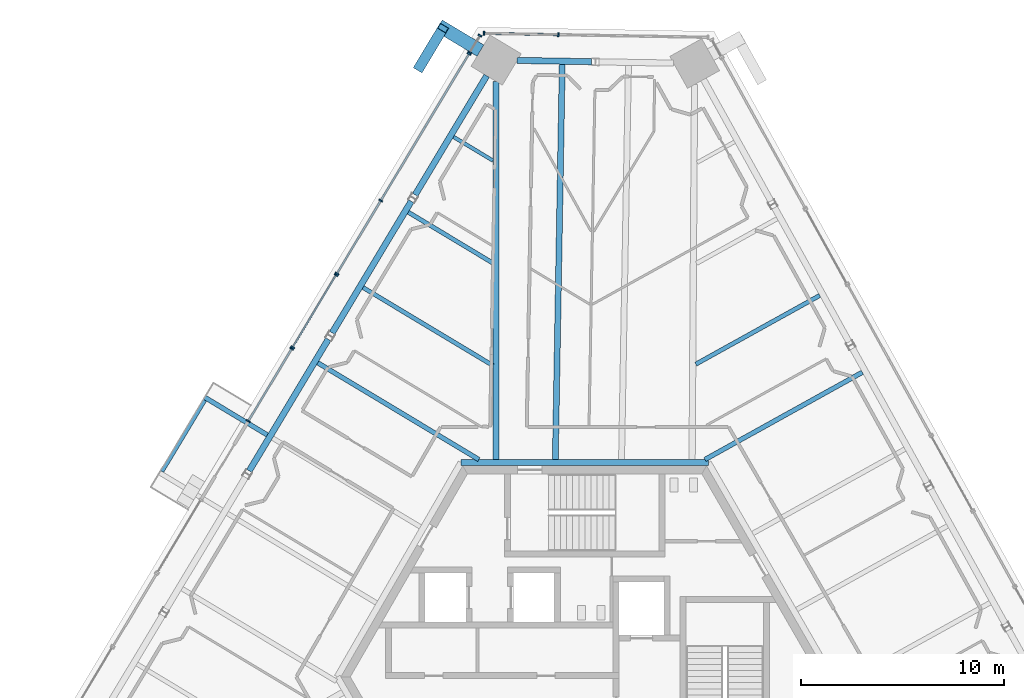
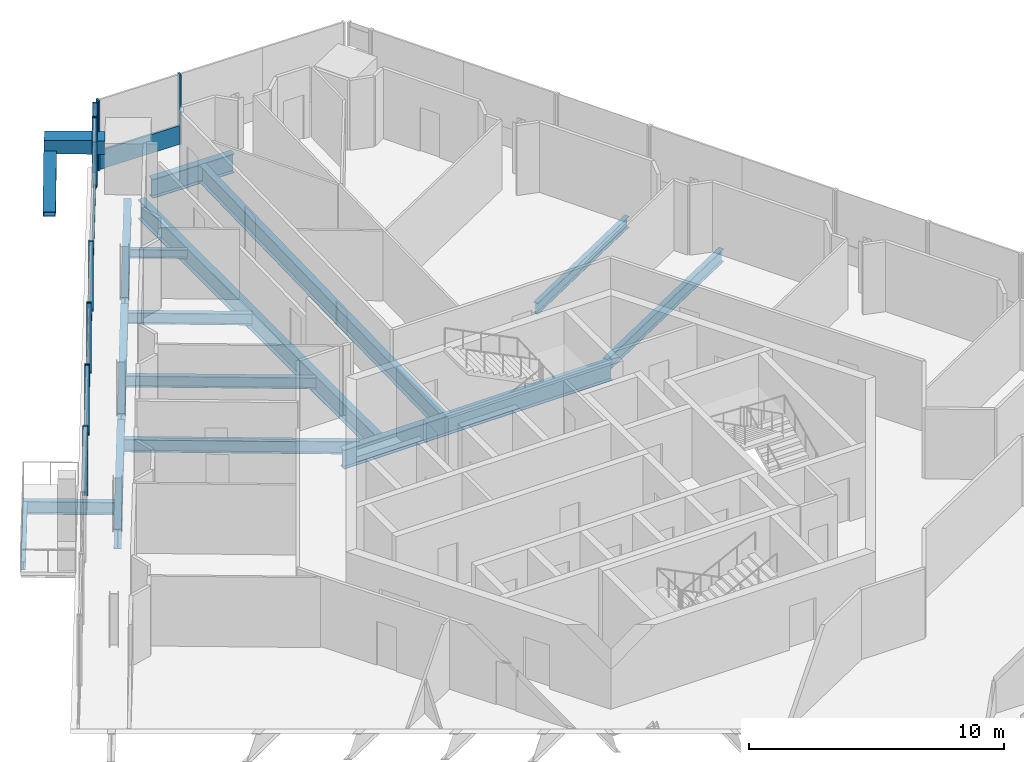
# One storey, part 9 of 24: 20 members, 15 beams, 6 elements without a shape of their own.
"""IFC4 building model written with IfcOpenShell, lengths in metres."""

from ifc_helpers import new_model, si_unit, direction, frame, origin, origin_2d, place, context, subcontext, project, spatial, rectangle, hollow_rectangle, i_section, extrude, source, transform, mapped, material, material_profile, profile_set, type_object, element, aggregate, save


model = new_model("IFC4")

# Units and contexts
model_context = context("Model", 3, precision=1e-05, world=origin(), true_north=direction((0.0, 1.0)))
body_context = subcontext(model_context, "Body", "Model", "MODEL_VIEW")
ifc_project = project(units=[si_unit("LENGTHUNIT", "METRE"), si_unit("AREAUNIT", "SQUARE_METRE"), si_unit("VOLUMEUNIT", "CUBIC_METRE"), si_unit("PLANEANGLEUNIT", "RADIAN"), si_unit("MASSUNIT", "GRAM", prefix="KILO")], contexts=[model_context])

# Site, building, storey
site_placement = place(None, origin())
site = spatial("IfcSite", under=ifc_project, at=site_placement, CompositionType="ELEMENT")
building_placement = place(site_placement, origin())
building = spatial("IfcBuilding", under=site, at=building_placement, Name="Triune Harvest Tower", CompositionType="ELEMENT")
storey_placement = place(building_placement, frame((0.0, 0.0, 212.300048828125)))
storey = spatial("IfcBuildingStorey", under=building, at=storey_placement, Name="L55", CompositionType="ELEMENT", Elevation=212.300048828125)

# Curtain wall, members
ifc_material_1 = material(Name="Aluminium bronze anodised", Category="aluminium")
curtain_wall_type_1 = type_object("IfcCurtainWallType", Name="CW-10 Balcony window wall with insulated spandrel infill", PredefinedType="NOTDEFINED", material=ifc_material_1)
curtain_wall_1_placement = place(storey_placement, origin())
curtain_wall_1 = element("IfcCurtainWall", 1, at=curtain_wall_1_placement, inside=storey, type_object=curtain_wall_type_1, Name="CW-10 B5-F3 L55 run 201")
ifc_material_2 = material(Name="Aluminium bronze anodised", Category="aluminium")
ifc_material_profile_1 = material_profile(ifc_material_2, rectangle(XDim=0.090087890625, YDim=0.14990234375, at=origin_2d()), Name="TR-6 transom 90 x 150")
ifc_profile_set_1 = profile_set([ifc_material_profile_1], Name="Aluminium bronze anodised")
member_type_1 = type_object("IfcMemberType", Name="TR-6 transom 90 x 150", PredefinedType="USERDEFINED", material=ifc_profile_set_1)
member_1_placement = place(storey_placement, frame((-5.712158203125, 30.639892578125, 0.074951171875), z_axis=(-0.515054351809, -0.857157520344, 0.0), x_axis=(0.857157520344, -0.515054351809, 0.0)))
member_1 = element("IfcMember", 2, at=member_1_placement, type_object=member_type_1, Name="CW-10 transom B5-F3 201.1", ObjectType="TRANSOM", PredefinedType="USERDEFINED", context=body_context, shape_type="SweptSolid", body=[
    extrude(rectangle(XDim=0.090087890625, YDim=0.14990234375, at=origin_2d()), origin(), (0.0, 0.0, 1.0), 8.35400390625),
])
member_2_placement = place(storey_placement, frame((-10.053466796875, 23.414794921875, 0.074951171875), z_axis=(-0.515027129781, -0.857173877104, 0.0), x_axis=(0.857173877104, -0.515027129781, 0.0)))
member_2 = element("IfcMember", 3, at=member_2_placement, type_object=member_type_1, Name="CW-10 transom B5-F3 201.2", ObjectType="TRANSOM", PredefinedType="USERDEFINED", context=body_context, shape_type="SweptSolid", body=[
    extrude(rectangle(XDim=0.090087890625, YDim=0.14990234375, at=origin_2d()), origin(), (0.0, 0.0, 1.0), 4.120849609375),
])

# Beams
ifc_material_3 = material(Name="Steel ASTM A992 Gr 50", Category="steel")
ifc_material_profile_2 = material_profile(ifc_material_3, i_section(OverallWidth=0.3046875, OverallDepth=0.914306640625, WebThickness=0.0166015625, FlangeThickness=0.02587890625, at=origin_2d()), Name="W36x160")
ifc_profile_set_2 = profile_set([ifc_material_profile_2], Name="Steel ASTM A992 Gr 50")
beam_type_1 = type_object("IfcBeamType", Name="CG-1 Core ring girder W36x160", PredefinedType="BEAM", material=ifc_profile_set_2)
shared_shape_1 = source(origin(), body_context, "Body", "SweptSolid", [
    extrude(i_section(OverallWidth=0.3046875, OverallDepth=0.914306640625, WebThickness=0.0166015625, FlangeThickness=0.02587890625, at=origin_2d()), origin(), (0.0, 0.0, 1.0), 12.17578125),
])
beam_1_placement = place(storey_placement, frame((6.087890625, 10.544677734375, -0.6171875), z_axis=(-1.0, 0.0, 0.0), x_axis=(0.0, -1.0, 0.0)))
element("IfcBeam", 4, at=beam_1_placement, inside=storey, type_object=beam_type_1, Name="beam/L55/CG2", PredefinedType="BEAM", context=body_context, shape_type="MappedRepresentation", body=[
    mapped(shared_shape_1, transform((0.0, 0.0, 0.0), scale=1.0)),
])
ifc_material_4 = material(Name="Steel ASTM A992 Gr 50", Category="steel")
ifc_material_profile_3 = material_profile(ifc_material_4, i_section(OverallWidth=0.3046875, OverallDepth=0.914306640625, WebThickness=0.0166015625, FlangeThickness=0.02587890625, at=origin_2d()), Name="W36x160")
ifc_profile_set_3 = profile_set([ifc_material_profile_3], Name="Steel ASTM A992 Gr 50")
beam_type_2 = type_object("IfcBeamType", Name="SB-1 Spandrel beam W36x160", PredefinedType="SPANDREL", material=ifc_profile_set_3)
shared_shape_2 = source(origin(), body_context, "Body", "SweptSolid", [
    extrude(i_section(OverallWidth=0.3046875, OverallDepth=0.914306640625, WebThickness=0.0166015625, FlangeThickness=0.02587890625, at=origin_2d()), origin(), (0.0, 0.0, 1.0), 3.66357421875),
])
beam_2_placement = place(storey_placement, frame((0.343017578125, 30.281494140625, -0.6171875), z_axis=(-0.999846408449, 0.01752596677, 0.0), x_axis=(-0.01752596677, -0.999846408449, 0.0)))
element("IfcBeam", 5, at=beam_2_placement, inside=storey, type_object=beam_type_2, Name="beam/L55/SB8", PredefinedType="SPANDREL", context=body_context, shape_type="MappedRepresentation", body=[
    mapped(shared_shape_2, transform((0.0, 0.0, 0.0), scale=1.0)),
])
shared_shape_3 = source(origin(), body_context, "Body", "SweptSolid", [
    extrude(i_section(OverallWidth=0.3046875, OverallDepth=0.914306640625, WebThickness=0.0166015625, FlangeThickness=0.02587890625, at=origin_2d()), origin(), (0.0, 0.0, 1.0), 6.842041015625),
])
beam_3_placement = place(storey_placement, frame((-4.822509765625, 29.59228515625, -0.6171875), z_axis=(-0.515041383774, -0.857165312527, 0.0), x_axis=(0.857165312527, -0.515041383774, 0.0)))
element("IfcBeam", 6, at=beam_3_placement, inside=storey, type_object=beam_type_2, Name="beam/L55/SB9", PredefinedType="SPANDREL", context=body_context, shape_type="MappedRepresentation", body=[
    mapped(shared_shape_3, transform((0.0, 0.0, 0.0), scale=1.0)),
])
shared_shape_4 = source(origin(), body_context, "Body", "SweptSolid", [
    extrude(i_section(OverallWidth=0.3046875, OverallDepth=0.914306640625, WebThickness=0.0166015625, FlangeThickness=0.02587890625, at=origin_2d()), origin(), (0.0, 0.0, 1.0), 7.556640625),
])
for number, where, z_axis, x_axis, name in (
    (7, (-8.537353515625, 23.409912109375, -0.6171875), (-0.515027794287, -0.857173477839, 0.0), (0.857173477839, -0.515027794287, 0.0), "beam/L55/SB10"),
    (8, (-12.6201171875, 16.614990234375, -0.6171875), (-0.515027794287, -0.857173477839, 0.0), (0.857173477839, -0.515027794287, 0.0), "beam/L55/SB11"),
):
    element("IfcBeam", number, at=place(storey_placement, frame(where, z_axis=z_axis, x_axis=x_axis)), inside=storey, type_object=beam_type_2, Name=name, PredefinedType="SPANDREL", context=body_context, shape_type="MappedRepresentation", body=[
        mapped(shared_shape_4, transform((0.0, 0.0, 0.0), scale=1.0)),
    ])
ifc_material_5 = material(Name="Steel ASTM A992 Gr 50", Category="steel")
ifc_material_profile_4 = material_profile(ifc_material_5, i_section(OverallWidth=0.307373046875, OverallDepth=0.922119140625, WebThickness=0.018310546875, FlangeThickness=0.030029296875, at=origin_2d()), Name="W36x182")
ifc_profile_set_4 = profile_set([ifc_material_profile_4], Name="Steel ASTM A992 Gr 50")
beam_type_3 = type_object("IfcBeamType", Name="HG-2 Hip girder W36x182", PredefinedType="BEAM", material=ifc_profile_set_4)
shared_shape_5 = source(origin(), body_context, "Body", "SweptSolid", [
    extrude(i_section(OverallWidth=0.307373046875, OverallDepth=0.922119140625, WebThickness=0.018310546875, FlangeThickness=0.030029296875, at=origin_2d()), origin(), (0.0, 0.0, 1.0), 18.61669921875),
])
beam_4_placement = place(storey_placement, frame((-4.359130859375, 29.313720703125, -0.62109375), z_axis=(0.0, -1.0, 0.0), x_axis=(1.0, 0.0, 0.0)))
element("IfcBeam", 9, at=beam_4_placement, inside=storey, type_object=beam_type_3, Name="beam/L55/HG4", PredefinedType="BEAM", context=body_context, shape_type="MappedRepresentation", body=[
    mapped(shared_shape_5, transform((0.0, 0.0, 0.0), scale=1.0)),
])
ifc_material_6 = material(Name="Steel ASTM A992 Gr 50", Category="steel")
ifc_material_profile_5 = material_profile(ifc_material_6, i_section(OverallWidth=0.180908203125, OverallDepth=0.41650390625, WebThickness=0.010986328125, FlangeThickness=0.01806640625, at=origin_2d()), Name="W16x57")
ifc_profile_set_5 = profile_set([ifc_material_profile_5], Name="Steel ASTM A992 Gr 50")
beam_type_4 = type_object("IfcBeamType", Name="JT-1 Floor joist W16x57", PredefinedType="JOIST", material=ifc_profile_set_5)
shared_shape_6 = source(origin(), body_context, "Body", "SweptSolid", [
    extrude(i_section(OverallWidth=0.180908203125, OverallDepth=0.41650390625, WebThickness=0.010986328125, FlangeThickness=0.01806640625, at=origin_2d()), origin(), (0.0, 0.0, 1.0), 2.266357421875),
])
beam_5_placement = place(storey_placement, frame((-6.455322265625, 26.578857421875, -0.368408203125), z_axis=(0.857169580884, -0.515034280031, 0.0), x_axis=(0.515034280031, 0.857169580884, 0.0)))
element("IfcBeam", 10, at=beam_5_placement, inside=storey, type_object=beam_type_4, Name="beam/L55/JT13", PredefinedType="JOIST", context=body_context, shape_type="MappedRepresentation", body=[
    mapped(shared_shape_6, transform((0.0, 0.0, 0.0), scale=1.0)),
])
ifc_material_7 = material(Name="Steel ASTM A992 Gr 50", Category="steel")
ifc_material_profile_6 = material_profile(ifc_material_7, i_section(OverallWidth=0.22900390625, OverallDepth=0.612060546875, WebThickness=0.011962890625, FlangeThickness=0.01953125, at=origin_2d()), Name="W24x84")
ifc_profile_set_6 = profile_set([ifc_material_profile_6], Name="Steel ASTM A992 Gr 50")
beam_type_5 = type_object("IfcBeamType", Name="JT-3 Floor joist W24x84", PredefinedType="JOIST", material=ifc_profile_set_6)
shared_shape_7 = source(origin(), body_context, "Body", "SweptSolid", [
    extrude(i_section(OverallWidth=0.22900390625, OverallDepth=0.612060546875, WebThickness=0.011962890625, FlangeThickness=0.01953125, at=origin_2d()), origin(), (0.0, 0.0, 1.0), 9.247314453125),
])
beam_6_placement = place(storey_placement, frame((-13.136474609375, 15.459716796875, -0.466064453125), z_axis=(0.857168952485, -0.515035325872, 0.0), x_axis=(0.515035325872, 0.857168952485, 0.0)))
element("IfcBeam", 11, at=beam_6_placement, inside=storey, type_object=beam_type_5, Name="beam/L55/JT16", PredefinedType="JOIST", context=body_context, shape_type="MappedRepresentation", body=[
    mapped(shared_shape_7, transform((0.0, 0.0, 0.0), scale=1.0)),
])
shared_shape_8 = source(origin(), body_context, "Body", "SweptSolid", [
    extrude(i_section(OverallWidth=0.22900390625, OverallDepth=0.612060546875, WebThickness=0.011962890625, FlangeThickness=0.01953125, at=origin_2d()), origin(), (0.0, 0.0, 1.0), 8.85888671875),
])
beam_7_placement = place(storey_placement, frame((13.66796875, 14.991943359375, -0.466064453125), z_axis=(-0.874614472557, -0.484819063563, 0.0), x_axis=(0.484819063563, -0.874614472557, 0.0)))
element("IfcBeam", 12, at=beam_7_placement, inside=storey, type_object=beam_type_5, Name="beam/L55/JT7", PredefinedType="JOIST", context=body_context, shape_type="MappedRepresentation", body=[
    mapped(shared_shape_8, transform((0.0, 0.0, 0.0), scale=1.0)),
])
ifc_material_8 = material(Name="Steel ASTM A992 Gr 50", Category="steel")
ifc_material_profile_7 = material_profile(ifc_material_8, i_section(OverallWidth=0.2099609375, OverallDepth=0.535888671875, WebThickness=0.010986328125, FlangeThickness=0.017333984375, at=origin_2d()), Name="W21x68")
ifc_profile_set_7 = profile_set([ifc_material_profile_7], Name="Steel ASTM A992 Gr 50")
beam_type_6 = type_object("IfcBeamType", Name="JT-2 Floor joist W21x68", PredefinedType="JOIST", material=ifc_profile_set_7)
shared_shape_9 = source(origin(), body_context, "Body", "SweptSolid", [
    extrude(i_section(OverallWidth=0.2099609375, OverallDepth=0.535888671875, WebThickness=0.010986328125, FlangeThickness=0.017333984375, at=origin_2d()), origin(), (0.0, 0.0, 1.0), 6.97265625),
])
beam_8_placement = place(storey_placement, frame((11.57177734375, 18.773681640625, -0.427978515625), z_axis=(-0.874620980943, -0.484807322236, 0.0), x_axis=(0.484807322236, -0.874620980943, 0.0)))
element("IfcBeam", 13, at=beam_8_placement, inside=storey, type_object=beam_type_6, Name="beam/L55/JT8", PredefinedType="JOIST", context=body_context, shape_type="MappedRepresentation", body=[
    mapped(shared_shape_9, transform((0.0, 0.0, 0.0), scale=1.0)),
])
ifc_material_9 = material(Name="Steel ASTM A992 Gr 50", Category="steel")
ifc_material_profile_8 = material_profile(ifc_material_9, i_section(OverallWidth=0.2919921875, OverallDepth=0.8408203125, WebThickness=0.0146484375, FlangeThickness=0.021728515625, at=origin_2d()), Name="W33x130")
ifc_profile_set_8 = profile_set([ifc_material_profile_8], Name="Steel ASTM A992 Gr 50")
beam_type_7 = type_object("IfcBeamType", Name="JT-6 Floor joist W33x130", PredefinedType="JOIST", material=ifc_profile_set_8)
shared_shape_10 = source(origin(), body_context, "Body", "SweptSolid", [
    extrude(i_section(OverallWidth=0.2919921875, OverallDepth=0.8408203125, WebThickness=0.0146484375, FlangeThickness=0.021728515625, at=origin_2d()), origin(), (0.0, 0.0, 1.0), 19.460205078125),
])
beam_9_placement = place(storey_placement, frame((-1.103515625, 30.154296875, -0.58056640625), z_axis=(-0.017450947707, -0.999847720618, 0.0), x_axis=(0.999847720618, -0.017450947707, 0.0)))
element("IfcBeam", 14, at=beam_9_placement, inside=storey, type_object=beam_type_7, Name="beam/L55/JT12", PredefinedType="JOIST", context=body_context, shape_type="MappedRepresentation", body=[
    mapped(shared_shape_10, transform((0.0, 0.0, 0.0), scale=1.0)),
])
shared_shape_11 = source(origin(), body_context, "Body", "SweptSolid", [
    extrude(i_section(OverallWidth=0.2099609375, OverallDepth=0.535888671875, WebThickness=0.010986328125, FlangeThickness=0.017333984375, at=origin_2d()), origin(), (0.0, 0.0, 1.0), 4.864501953125),
])
beam_10_placement = place(storey_placement, frame((-8.682373046875, 22.87255859375, -0.427978515625), z_axis=(0.857169483424, -0.515034442233, 0.0), x_axis=(0.515034442233, 0.857169483424, 0.0)))
element("IfcBeam", 15, at=beam_10_placement, inside=storey, type_object=beam_type_6, Name="beam/L55/JT14", PredefinedType="JOIST", context=body_context, shape_type="MappedRepresentation", body=[
    mapped(shared_shape_11, transform((0.0, 0.0, 0.0), scale=1.0)),
])
shared_shape_12 = source(origin(), body_context, "Body", "SweptSolid", [
    extrude(i_section(OverallWidth=0.2099609375, OverallDepth=0.535888671875, WebThickness=0.010986328125, FlangeThickness=0.017333984375, at=origin_2d()), origin(), (0.0, 0.0, 1.0), 7.462646484375),
])
beam_11_placement = place(storey_placement, frame((-10.909423828125, 19.166259765625, -0.427978515625), z_axis=(0.857169453827, -0.515034491492, 0.0), x_axis=(0.515034491492, 0.857169453827, 0.0)))
element("IfcBeam", 16, at=beam_11_placement, inside=storey, type_object=beam_type_6, Name="beam/L55/JT15", PredefinedType="JOIST", context=body_context, shape_type="MappedRepresentation", body=[
    mapped(shared_shape_12, transform((0.0, 0.0, 0.0), scale=1.0)),
])

# Members
ifc_material_10 = material(Name="Steel ASTM A572 Gr 50", Category="steel")
ifc_material_profile_9 = material_profile(ifc_material_10, hollow_rectangle(XDim=0.64990234375, YDim=0.64990234375, WallThickness=0.070068359375, at=origin_2d()), Name="Box 650x650x70")
ifc_profile_set_9 = profile_set([ifc_material_profile_9], Name="Steel ASTM A572 Gr 50")
member_type_2 = type_object("IfcMemberType", Name="BS-1 Brace stub Box 650x650x70", PredefinedType="STRUT", material=ifc_profile_set_9)
shared_shape_13 = source(origin(), body_context, "Body", "SweptSolid", [
    extrude(hollow_rectangle(XDim=0.64990234375, YDim=0.64990234375, WallThickness=0.070068359375, at=origin_2d()), origin(), (0.0, 0.0, 1.0), 2.38720703125),
])
member_3_placement = place(storey_placement, frame((-5.130615234375, 30.8271484375, 1.849853515625), z_axis=(-0.857158850431, 0.515052138262, 0.0), x_axis=(-0.515052138262, -0.857158850431, 0.0)))
element("IfcMember", 17, at=member_3_placement, inside=storey, type_object=member_type_2, Name="brace/B5-F3/stub4", PredefinedType="STRUT", context=body_context, shape_type="MappedRepresentation", body=[
    mapped(shared_shape_13, transform((0.0, 0.0, 0.0), scale=1.0)),
])
ifc_material_11 = material(Name="Steel ASTM A572 Gr 50", Category="steel")
ifc_material_profile_10 = material_profile(ifc_material_11, hollow_rectangle(XDim=0.5, YDim=0.5, WallThickness=0.030029296875, at=origin_2d()), Name="Box 500x500x30")
ifc_profile_set_10 = profile_set([ifc_material_profile_10], Name="Steel ASTM A572 Gr 50")
member_type_3 = type_object("IfcMemberType", Name="BR-3 Brace Box 500x500x30", PredefinedType="BRACE", material=ifc_profile_set_10)
shared_shape_14 = source(origin(), body_context, "Body", "SweptSolid", [
    extrude(hollow_rectangle(XDim=0.5, YDim=0.5, WallThickness=0.030029296875, at=origin_2d()), origin(), (0.0, 0.0, 1.0), 2.777099609375),
])
member_4_placement = place(storey_placement, frame((-8.1494140625, 29.981689453125, 0.0), z_axis=(0.422777605331, 0.703574376266, 0.571176149269), x_axis=(-0.857152525846, 0.515062663601, 0.0)))
element("IfcMember", 18, at=member_4_placement, inside=storey, type_object=member_type_3, Name="brace/B5-F3/d2/10", PredefinedType="BRACE", context=body_context, shape_type="MappedRepresentation", body=[
    mapped(shared_shape_14, transform((0.0, 0.0, 0.0), scale=1.0)),
])

# Curtain wall, members
ifc_material_12 = material(Name="Aluminium bronze anodised", Category="aluminium")
curtain_wall_type_2 = type_object("IfcCurtainWallType", Name="CW-6 Balcony window wall", PredefinedType="NOTDEFINED", material=ifc_material_12)
curtain_wall_2_placement = place(storey_placement, origin())
curtain_wall_2 = element("IfcCurtainWall", 19, at=curtain_wall_2_placement, inside=storey, type_object=curtain_wall_type_2, Name="CW-6 B5-F3 L55 run 101")
ifc_material_13 = material(Name="Aluminium bronze anodised", Category="aluminium")
ifc_material_profile_11 = material_profile(ifc_material_13, rectangle(XDim=0.199951171875, YDim=0.074951171875, at=origin_2d()), Name="MU-6 mullion 75 x 200")
ifc_profile_set_11 = profile_set([ifc_material_profile_11], Name="Aluminium bronze anodised")
member_type_4 = type_object("IfcMemberType", Name="MU-6 mullion 75 x 200", PredefinedType="MULLION", material=ifc_profile_set_11)
shared_shape_15 = source(origin(), body_context, "Body", "SweptSolid", [
    extrude(rectangle(XDim=0.199951171875, YDim=0.074951171875, at=origin_2d()), origin(), (0.0, 0.0, 1.0), 1.114990234375),
])
member_5_placement = place(storey_placement, frame((-5.15380859375, 31.5693359375, 2.23486328125), z_axis=(0.0, 0.0, 1.0), x_axis=(0.857189328811, -0.515001412204, 0.0)))
member_5 = element("IfcMember", 20, at=member_5_placement, type_object=member_type_4, Name="CW-6 mullion B5-F3 101.1", PredefinedType="MULLION", context=body_context, shape_type="MappedRepresentation", body=[
    mapped(shared_shape_15, transform((0.0, 0.0, 0.0), scale=1.0)),
])
member_6_placement = place(storey_placement, frame((-5.654296875, 30.736328125, 2.23486328125), z_axis=(0.0, 0.0, 1.0), x_axis=(0.857189328811, -0.515001412204, 0.0)))
member_6 = element("IfcMember", 21, at=member_6_placement, type_object=member_type_4, Name="CW-6 mullion B5-F3 101.2", PredefinedType="MULLION", context=body_context, shape_type="MappedRepresentation", body=[
    mapped(shared_shape_15, transform((0.0, 0.0, 0.0), scale=1.0)),
])
aggregate(curtain_wall_2, [member_5, member_6])

# Beam
ifc_material_14 = material(Name="Steel ASTM A992 Gr 50", Category="steel")
ifc_material_profile_12 = material_profile(ifc_material_14, i_section(OverallWidth=0.22900390625, OverallDepth=0.612060546875, WebThickness=0.011962890625, FlangeThickness=0.01953125, at=origin_2d()), Name="W24x84")
ifc_profile_set_12 = profile_set([ifc_material_profile_12], Name="Steel ASTM A992 Gr 50")
beam_type_8 = type_object("IfcBeamType", Name="BJ-3 Balcony cantilever joist W24x84", PredefinedType="JOIST", material=ifc_profile_set_12)
shared_shape_16 = source(origin(), body_context, "Body", "SweptSolid", [
    extrude(i_section(OverallWidth=0.22900390625, OverallDepth=0.612060546875, WebThickness=0.011962890625, FlangeThickness=0.01953125, at=origin_2d()), origin(), (0.0, 0.0, 1.0), 3.597900390625),
])
beam_12_placement = place(storey_placement, frame((-15.62451171875, 11.910400390625, -0.466064453125), z_axis=(-0.85716943782, 0.515034518133, 0.0), x_axis=(-0.515034518133, -0.85716943782, 0.0)))
element("IfcBeam", 22, at=beam_12_placement, inside=storey, type_object=beam_type_8, Name="Balcony cantilever joist B5-F3 L55.6a", PredefinedType="JOIST", context=body_context, shape_type="MappedRepresentation", body=[
    mapped(shared_shape_16, transform((0.0, 0.0, 0.0), scale=1.0)),
])

# Curtain wall, member
ifc_material_15 = material(Name="Aluminium bronze anodised", Category="aluminium")
curtain_wall_type_3 = type_object("IfcCurtainWallType", Name="CW-7 Tower stick curtain wall with insulated spandrel infill", PredefinedType="NOTDEFINED", material=ifc_material_15)
curtain_wall_3_placement = place(storey_placement, origin())
curtain_wall_3 = element("IfcCurtainWall", 23, at=curtain_wall_3_placement, inside=storey, type_object=curtain_wall_type_3, Name="CW-7 B5-F2 L55 run 1")
ifc_material_16 = material(Name="Aluminium bronze anodised", Category="aluminium")
ifc_material_profile_13 = material_profile(ifc_material_16, rectangle(XDim=0.090087890625, YDim=0.89990234375, at=origin_2d()), Name="TR-1 transom 90 x 900")
ifc_profile_set_13 = profile_set([ifc_material_profile_13], Name="Aluminium bronze anodised")
member_type_5 = type_object("IfcMemberType", Name="TR-1 transom 90 x 900", PredefinedType="USERDEFINED", material=ifc_profile_set_13)
shared_shape_17 = source(origin(), body_context, "Body", "SweptSolid", [
    extrude(rectangle(XDim=0.090087890625, YDim=0.89990234375, at=origin_2d()), origin(), (0.0, 0.0, 1.0), 3.58740234375),
])
member_7_placement = place(storey_placement, frame((-1.336181640625, 31.61328125, 0.449951171875), z_axis=(-0.999848228853, 0.017421804151, 0.0), x_axis=(-0.017421804151, -0.999848228853, 0.0)))
member_7 = element("IfcMember", 24, at=member_7_placement, type_object=member_type_5, Name="CW-7 transom B5-F2 1.2", ObjectType="TRANSOM", PredefinedType="USERDEFINED", context=body_context, shape_type="MappedRepresentation", body=[
    mapped(shared_shape_17, transform((0.0, 0.0, 0.0), scale=1.0)),
])

# Beam
ifc_material_17 = material(Name="Steel ASTM A992 Gr 50", Category="steel")
ifc_material_profile_14 = material_profile(ifc_material_17, i_section(OverallWidth=0.180908203125, OverallDepth=0.41650390625, WebThickness=0.010986328125, FlangeThickness=0.01806640625, at=origin_2d()), Name="W16x57")
ifc_profile_set_14 = profile_set([ifc_material_profile_14], Name="Steel ASTM A992 Gr 50")
beam_type_9 = type_object("IfcBeamType", Name="BE-1 balcony edge beam W16x57", PredefinedType="BEAM", material=ifc_profile_set_14)
shared_shape_18 = source(origin(), body_context, "Body", "SweptSolid", [
    extrude(i_section(OverallWidth=0.180908203125, OverallDepth=0.41650390625, WebThickness=0.010986328125, FlangeThickness=0.01806640625, at=origin_2d()), origin(), (0.0, 0.0, 1.0), 4.094970703125),
])
beam_13_placement = place(storey_placement, frame((-20.799072265625, 10.108642578125, -0.368408203125), z_axis=(0.515056774239, 0.857156064734, 0.0), x_axis=(-0.857156064734, 0.515056774239, 0.0)))
element("IfcBeam", 25, at=beam_13_placement, inside=storey, type_object=beam_type_9, Name="Balcony edge beam B5-F3 L55.6", PredefinedType="BEAM", context=body_context, shape_type="MappedRepresentation", body=[
    mapped(shared_shape_18, transform((0.0, 0.0, 0.0), scale=1.0)),
])

# Member
ifc_material_18 = material(Name="Aluminium bronze anodised", Category="aluminium")
ifc_material_profile_15 = material_profile(ifc_material_18, rectangle(XDim=0.199951171875, YDim=0.074951171875, at=origin_2d()), Name="MU-1 mullion 75 x 200")
ifc_profile_set_15 = profile_set([ifc_material_profile_15], Name="Aluminium bronze anodised")
member_type_6 = type_object("IfcMemberType", Name="MU-1 mullion 75 x 200", PredefinedType="MULLION", material=ifc_profile_set_15)
shared_shape_19 = source(origin(), body_context, "Body", "SweptSolid", [
    extrude(rectangle(XDim=0.199951171875, YDim=0.074951171875, at=origin_2d()), origin(), (0.0, 0.0, 1.0), 3.349853515625),
])
member_8_placement = place(storey_placement, frame((-1.298583984375, 31.612548828125, 0.0), z_axis=(0.0, 0.0, 1.0), x_axis=(-0.017446318452, -0.999847801404, 0.0)))
member_8 = element("IfcMember", 26, at=member_8_placement, type_object=member_type_6, Name="CW-7 mullion B5-F2 1.3", PredefinedType="MULLION", context=body_context, shape_type="MappedRepresentation", body=[
    mapped(shared_shape_19, transform((0.0, 0.0, 0.0), scale=1.0)),
])

member_9_placement = place(storey_placement, frame((-4.960693359375, 31.676513671875, 0.0), z_axis=(0.0, 0.0, 1.0), x_axis=(-0.017446318452, -0.999847801404, 0.0)))
member_9 = element("IfcMember", 27, at=member_9_placement, type_object=member_type_6, Name="CW-7 mullion B5-F2 1.4", PredefinedType="MULLION", context=body_context, shape_type="MappedRepresentation", body=[
    mapped(shared_shape_19, transform((0.0, 0.0, 0.0), scale=1.0)),
])

aggregate(curtain_wall_3, [member_8, member_9, member_7])

# Curtain wall, members
curtain_wall_4_placement = place(storey_placement, origin())
curtain_wall_4 = element("IfcCurtainWall", 28, at=curtain_wall_4_placement, inside=storey, type_object=curtain_wall_type_1, Name="CW-10 B5-F3 L55 run 1")
shared_shape_20 = source(origin(), body_context, "Body", "SweptSolid", [
    extrude(rectangle(XDim=0.199951171875, YDim=0.074951171875, at=origin_2d()), origin(), (0.0, 0.0, 1.0), 1.46484375),
])
member_10_placement = place(storey_placement, frame((-5.15380859375, 31.5693359375, 0.0), z_axis=(0.0, 0.0, 1.0), x_axis=(0.857189328811, -0.515001412204, 0.0)))
member_10 = element("IfcMember", 29, at=member_10_placement, type_object=member_type_4, Name="CW-10 mullion B5-F3 1.1", PredefinedType="MULLION", context=body_context, shape_type="MappedRepresentation", body=[
    mapped(shared_shape_20, transform((0.0, 0.0, 0.0), scale=1.0)),
])
member_11_placement = place(storey_placement, frame((-5.654296875, 30.736328125, 0.0), z_axis=(0.0, 0.0, 1.0), x_axis=(0.857189328811, -0.515001412204, 0.0)))
member_11 = element("IfcMember", 30, at=member_11_placement, type_object=member_type_4, Name="CW-10 mullion B5-F3 1.2", PredefinedType="MULLION", context=body_context, shape_type="MappedRepresentation", body=[
    mapped(shared_shape_20, transform((0.0, 0.0, 0.0), scale=1.0)),
])
aggregate(curtain_wall_4, [member_10, member_11])

# Member
shared_shape_21 = source(origin(), body_context, "Body", "SweptSolid", [
    extrude(rectangle(XDim=0.199951171875, YDim=0.074951171875, at=origin_2d()), origin(), (0.0, 0.0, 1.0), 3.349853515625),
])
member_12_placement = place(storey_placement, frame((-5.69287109375, 30.672119140625, 0.0), z_axis=(0.0, 0.0, 1.0), x_axis=(0.857171076303, -0.515031791203, 0.0)))
member_12 = element("IfcMember", 31, at=member_12_placement, type_object=member_type_4, Name="CW-10 mullion B5-F3 201.1", PredefinedType="MULLION", context=body_context, shape_type="MappedRepresentation", body=[
    mapped(shared_shape_21, transform((0.0, 0.0, 0.0), scale=1.0)),
])

member_13_placement = place(storey_placement, frame((-10.0341796875, 23.447021484375, 0.0), z_axis=(0.0, 0.0, 1.0), x_axis=(0.857171076303, -0.515031791203, 0.0)))
member_13 = element("IfcMember", 32, at=member_13_placement, type_object=member_type_4, Name="CW-10 mullion B5-F3 201.3", PredefinedType="MULLION", context=body_context, shape_type="MappedRepresentation", body=[
    mapped(shared_shape_21, transform((0.0, 0.0, 0.0), scale=1.0)),
])

member_14_placement = place(storey_placement, frame((-12.195068359375, 19.8505859375, 0.0), z_axis=(0.0, 0.0, 1.0), x_axis=(0.857171076303, -0.515031791203, 0.0)))
member_14 = element("IfcMember", 33, at=member_14_placement, type_object=member_type_4, Name="CW-10 mullion B5-F3 201.4", PredefinedType="MULLION", context=body_context, shape_type="MappedRepresentation", body=[
    mapped(shared_shape_21, transform((0.0, 0.0, 0.0), scale=1.0)),
])

aggregate(curtain_wall_1, [member_12, member_13, member_14, member_1, member_2])

# Curtain wall, members
curtain_wall_5_placement = place(storey_placement, origin())
curtain_wall_5 = element("IfcCurtainWall", 34, at=curtain_wall_5_placement, inside=storey, type_object=curtain_wall_type_2, Name="CW-6 B5-F3 L55 run 1201")
member_15_placement = place(storey_placement, frame((-12.233642578125, 19.786376953125, 0.0), z_axis=(0.0, 0.0, 1.0), x_axis=(0.857165511361, -0.515041052863, 0.0)))
member_15 = element("IfcMember", 35, at=member_15_placement, type_object=member_type_4, Name="CW-6 mullion B5-F3 1201.1", PredefinedType="MULLION", context=body_context, shape_type="MappedRepresentation", body=[
    mapped(shared_shape_21, transform((0.0, 0.0, 0.0), scale=1.0)),
])
member_16_placement = place(storey_placement, frame((-14.37548828125, 16.221923828125, 0.0), z_axis=(0.0, 0.0, 1.0), x_axis=(0.857165511361, -0.515041052863, 0.0)))
member_16 = element("IfcMember", 36, at=member_16_placement, type_object=member_type_4, Name="CW-6 mullion B5-F3 1201.2", PredefinedType="MULLION", context=body_context, shape_type="MappedRepresentation", body=[
    mapped(shared_shape_21, transform((0.0, 0.0, 0.0), scale=1.0)),
])

curtain_wall_6_placement = place(storey_placement, origin())
curtain_wall_6 = element("IfcCurtainWall", 37, at=curtain_wall_6_placement, inside=storey, type_object=curtain_wall_type_1, Name="CW-10 B5-F3 L55 run 2201")
member_17_placement = place(storey_placement, frame((-14.4140625, 16.15771484375, 0.0), z_axis=(0.0, 0.0, 1.0), x_axis=(0.857165511361, -0.515041052863, 0.0)))
member_17 = element("IfcMember", 38, at=member_17_placement, type_object=member_type_4, Name="CW-10 mullion B5-F3 2201.1", PredefinedType="MULLION", context=body_context, shape_type="MappedRepresentation", body=[
    mapped(shared_shape_21, transform((0.0, 0.0, 0.0), scale=1.0)),
])
member_18_placement = place(storey_placement, frame((-16.5556640625, 12.59326171875, 0.0), z_axis=(0.0, 0.0, 1.0), x_axis=(0.857165511361, -0.515041052863, 0.0)))
member_18 = element("IfcMember", 39, at=member_18_placement, type_object=member_type_4, Name="CW-10 mullion B5-F3 2201.2", PredefinedType="MULLION", context=body_context, shape_type="MappedRepresentation", body=[
    mapped(shared_shape_21, transform((0.0, 0.0, 0.0), scale=1.0)),
])

# Member
shared_shape_22 = source(origin(), body_context, "Body", "SweptSolid", [
    extrude(rectangle(XDim=0.090087890625, YDim=0.14990234375, at=origin_2d()), origin(), (0.0, 0.0, 1.0), 4.083251953125),
])
member_19_placement = place(storey_placement, frame((-12.2529296875, 19.754150390625, 0.074951171875), z_axis=(-0.515040805886, -0.85716565976, 0.0), x_axis=(0.85716565976, -0.515040805886, 0.0)))
member_19 = element("IfcMember", 40, at=member_19_placement, type_object=member_type_1, Name="CW-6 transom B5-F3 1201.1", ObjectType="TRANSOM", PredefinedType="USERDEFINED", context=body_context, shape_type="MappedRepresentation", body=[
    mapped(shared_shape_22, transform((0.0, 0.0, 0.0), scale=1.0)),
])

aggregate(curtain_wall_5, [member_15, member_16, member_19])

member_20_placement = place(storey_placement, frame((-14.433349609375, 16.12548828125, 0.074951171875), z_axis=(-0.515040805886, -0.85716565976, 0.0), x_axis=(0.85716565976, -0.515040805886, 0.0)))
member_20 = element("IfcMember", 41, at=member_20_placement, type_object=member_type_1, Name="CW-10 transom B5-F3 2201.1", ObjectType="TRANSOM", PredefinedType="USERDEFINED", context=body_context, shape_type="MappedRepresentation", body=[
    mapped(shared_shape_22, transform((0.0, 0.0, 0.0), scale=1.0)),
])

aggregate(curtain_wall_6, [member_17, member_18, member_20])

save(model, "model.ifc")
